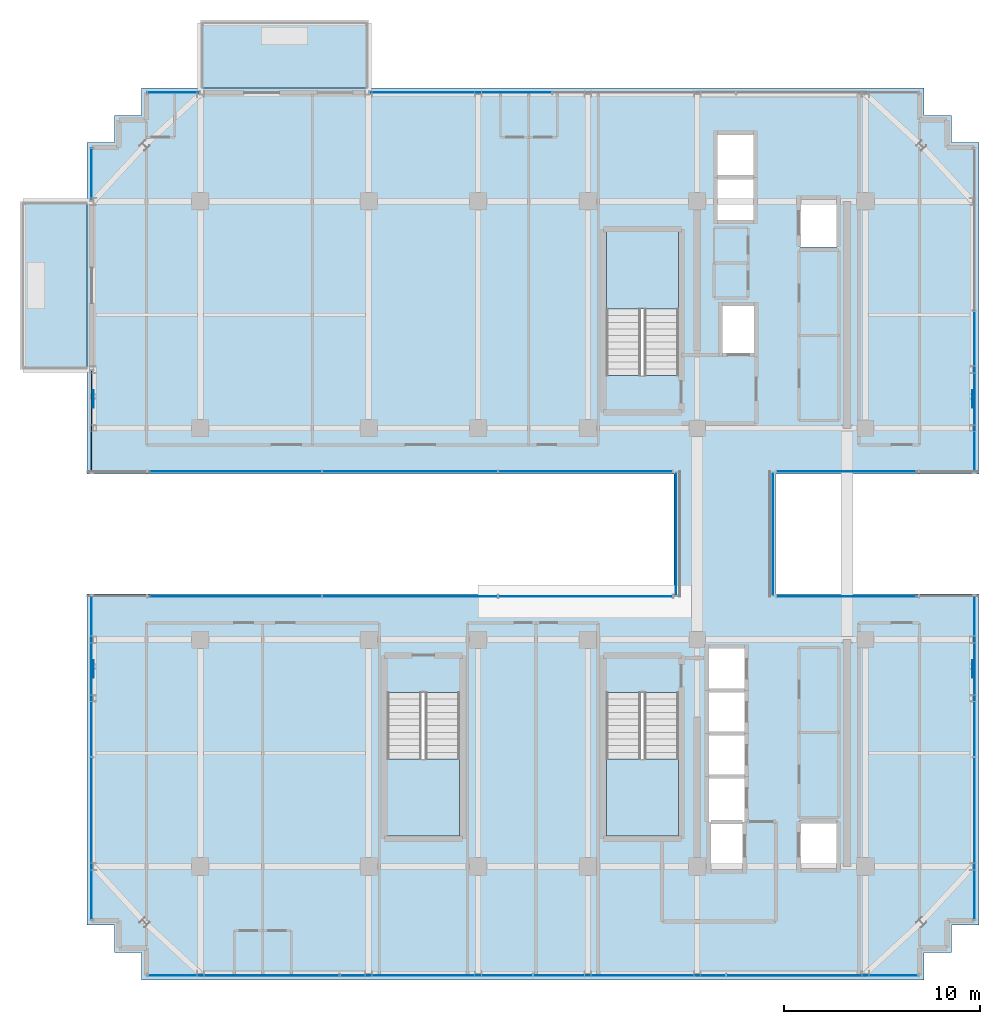
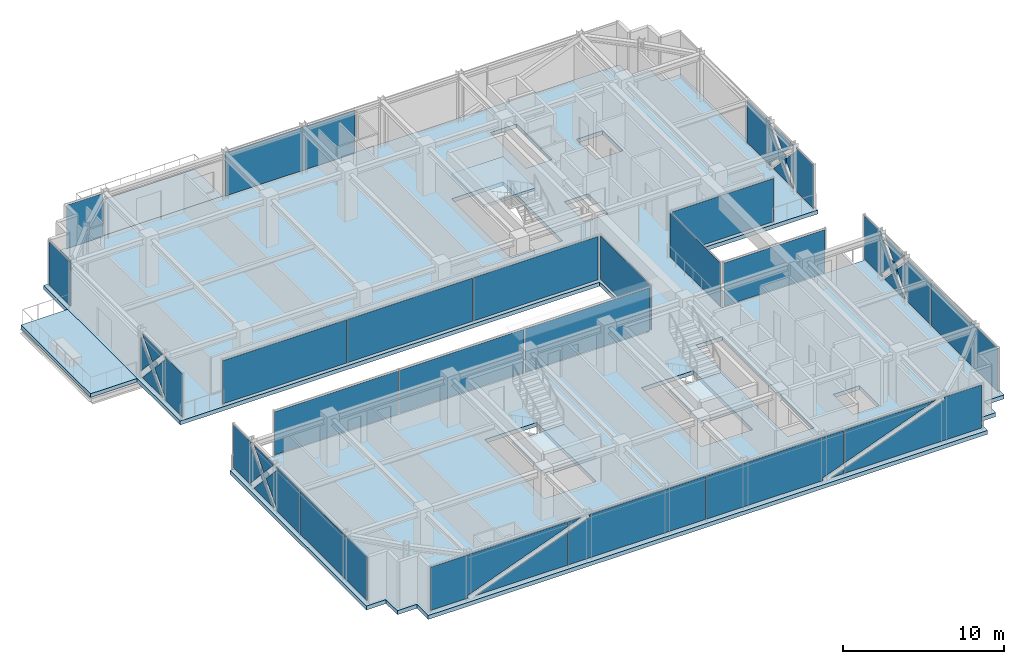
# One storey, part 32 of 40: 27 plates, 6 slabs, 17 elements without a shape of their own.
"""IFC4 building model written with IfcOpenShell, lengths in metres."""

from ifc_helpers import new_model, si_unit, direction, frame, origin, origin_2d, place, context, subcontext, project, spatial, polyline, rectangle, outline, extrude, source, transform, mapped, material, layer, layer_set, type_object, element, aggregate, save


model = new_model("IFC4")

# Units and contexts
model_context = context("Model", 3, precision=1e-05, world=origin(), true_north=direction((0.0, 1.0)))
body_context = subcontext(model_context, "Body", "Model", "MODEL_VIEW")
ifc_project = project(units=[si_unit("LENGTHUNIT", "METRE"), si_unit("AREAUNIT", "SQUARE_METRE"), si_unit("VOLUMEUNIT", "CUBIC_METRE"), si_unit("PLANEANGLEUNIT", "RADIAN"), si_unit("MASSUNIT", "GRAM", prefix="KILO")], contexts=[model_context])

# Site, building, storey
site_placement = place(None, origin())
site = spatial("IfcSite", under=ifc_project, at=site_placement, CompositionType="ELEMENT")
building_placement = place(site_placement, origin())
building = spatial("IfcBuilding", under=site, at=building_placement, Name="Nahalor Promenade Grand Hotel", CompositionType="ELEMENT")
storey_placement = place(building_placement, frame((0.0, 0.0, 288.800048828125)))
storey = spatial("IfcBuildingStorey", under=building, at=storey_placement, Name="L74", CompositionType="ELEMENT", Elevation=288.800048828125)

# Curtain wall, plates
ifc_material_1 = material(Name="Anodised Bronze Aluminium EN AW-6063 T6", Category="aluminium")
curtain_wall_type_1 = type_object("IfcCurtainWallType", Name="CW3 Elliptical-Void Collar Unitised Curtain Wall", PredefinedType="USERDEFINED", material=ifc_material_1)
curtain_wall_1_placement = place(storey_placement, origin())
curtain_wall_1 = element("IfcCurtainWall", 1, at=curtain_wall_1_placement, inside=storey, type_object=curtain_wall_type_1, Name="L74 Curtain Wall CW-L74-S-1", ObjectType="UNITISED_CURTAIN_WALL", PredefinedType="USERDEFINED")
ifc_material_2 = material(Name="Low-E Laminated Solar Glass", Category="glass")
ifc_layer_1 = layer(ifc_material_2, 0.030029296875)
ifc_layer_set_1 = layer_set([ifc_layer_1], Name="Low-E Laminated Solar Glass")
plate_type_1 = type_object("IfcPlateType", Name="CWP3 High-Wind Laminated Bronze IGU 30mm", PredefinedType="CURTAIN_PANEL", material=ifc_layer_set_1)
plate_1_placement = place(storey_placement, frame((-14.802490234375, -22.56005859375, 0.139892578125), z_axis=(0.0, 0.0, 1.0), x_axis=(1.0, 0.0, 0.0)))
plate_1 = element("IfcPlate", 2, at=plate_1_placement, type_object=plate_type_1, Name="CW-L74-S-1 Glazing Panel 0-0", PredefinedType="CURTAIN_PANEL", context=body_context, shape_type="SweptSolid", body=[
    extrude(outline(polyline([(-4.887451171875, 3.27001953125), (-4.887451171875, 0.0), (-2.220458984375, 0.0), (-2.29150390625, 0.188232421875), (4.887451171875, 2.9013671875), (4.887451171875, 3.27001953125), (-4.887451171875, 3.27001953125)])), frame((0.0, 0.01513671875, 0.0), z_axis=(0.0, -1.0, 0.0), x_axis=(1.0, 0.0, 0.0)), (0.0, 0.0, 1.0), 0.030029296875),
    extrude(outline(polyline([(-1.658203125, 0.0), (4.887451171875, 0.0), (4.887451171875, 2.4736328125), (-1.658203125, 0.0)])), frame((0.0, 0.01513671875, 0.0), z_axis=(0.0, -1.0, 0.0), x_axis=(1.0, 0.0, 0.0)), (0.0, 0.0, 1.0), 0.030029296875),
])
plate_2_placement = place(storey_placement, frame((-4.93994140625, -22.56005859375, 0.139892578125), z_axis=(0.0, 0.0, 1.0), x_axis=(1.0, 0.0, 0.0)))
plate_2 = element("IfcPlate", 3, at=plate_2_placement, type_object=plate_type_1, Name="CW-L74-S-1 Glazing Panel 1-0", PredefinedType="CURTAIN_PANEL", context=body_context, shape_type="SweptSolid", body=[
    extrude(outline(polyline([(4.905029296875, 0.0), (4.905029296875, 3.27001953125), (-3.43701171875, 3.27001953125), (-3.365966796875, 3.081787109375), (-4.905029296875, 2.5), (-4.905029296875, 0.0), (4.905029296875, 0.0)])), frame((0.0, 0.01513671875, 0.0), z_axis=(0.0, -1.0, 0.0), x_axis=(1.0, 0.0, 0.0)), (0.0, 0.0, 1.0), 0.030029296875),
    extrude(outline(polyline([(-3.999267578125, 3.27001953125), (-4.905029296875, 3.27001953125), (-4.905029296875, 2.927734375), (-3.999267578125, 3.27001953125)])), frame((0.0, 0.01513671875, 0.0), z_axis=(0.0, -1.0, 0.0), x_axis=(1.0, 0.0, 0.0)), (0.0, 0.0, 1.0), 0.030029296875),
])
plate_3_placement = place(storey_placement, frame((4.93994140625, -22.56005859375, 0.139892578125), z_axis=(0.0, 0.0, 1.0), x_axis=(1.0, 0.0, 0.0)))
plate_3 = element("IfcPlate", 4, at=plate_3_placement, type_object=plate_type_1, Name="CW-L74-S-1 Glazing Panel 2-0", PredefinedType="CURTAIN_PANEL", context=body_context, shape_type="SweptSolid", body=[
    extrude(outline(polyline([(-4.905029296875, 3.27001953125), (-4.905029296875, 0.0), (3.43701171875, 0.0), (3.365966796875, 0.188232421875), (4.905029296875, 0.769775390625), (4.905029296875, 3.27001953125), (-4.905029296875, 3.27001953125)])), frame((0.0, 0.01513671875, 0.0), z_axis=(0.0, -1.0, 0.0), x_axis=(1.0, 0.0, 0.0)), (0.0, 0.0, 1.0), 0.030029296875),
    extrude(outline(polyline([(3.999267578125, 0.0), (4.905029296875, 0.0), (4.905029296875, 0.34228515625), (3.999267578125, 0.0)])), frame((0.0, 0.01513671875, 0.0), z_axis=(0.0, -1.0, 0.0), x_axis=(1.0, 0.0, 0.0)), (0.0, 0.0, 1.0), 0.030029296875),
])
plate_4_placement = place(storey_placement, frame((14.802490234375, -22.56005859375, 0.139892578125), z_axis=(0.0, 0.0, 1.0), x_axis=(1.0, 0.0, 0.0)))
plate_4 = element("IfcPlate", 5, at=plate_4_placement, type_object=plate_type_1, Name="CW-L74-S-1 Glazing Panel 3-0", PredefinedType="CURTAIN_PANEL", context=body_context, shape_type="SweptSolid", body=[
    extrude(outline(polyline([(4.887451171875, 0.0), (4.887451171875, 3.27001953125), (2.220458984375, 3.27001953125), (2.29150390625, 3.081787109375), (-4.887451171875, 0.36865234375), (-4.887451171875, 0.0), (4.887451171875, 0.0)])), frame((0.0, 0.01513671875, 0.0), z_axis=(0.0, -1.0, 0.0), x_axis=(1.0, 0.0, 0.0)), (0.0, 0.0, 1.0), 0.030029296875),
    extrude(outline(polyline([(1.658203125, 3.27001953125), (-4.887451171875, 3.27001953125), (-4.887451171875, 0.79638671875), (1.658203125, 3.27001953125)])), frame((0.0, 0.01513671875, 0.0), z_axis=(0.0, -1.0, 0.0), x_axis=(1.0, 0.0, 0.0)), (0.0, 0.0, 1.0), 0.030029296875),
])
aggregate(curtain_wall_1, [plate_1, plate_2, plate_3, plate_4])

# Curtain wall, plate
curtain_wall_2_placement = place(storey_placement, origin())
curtain_wall_2 = element("IfcCurtainWall", 6, at=curtain_wall_2_placement, inside=storey, type_object=curtain_wall_type_1, Name="L74 Curtain Wall CW-L74-W-1", ObjectType="UNITISED_CURTAIN_WALL", PredefinedType="USERDEFINED")
plate_5_placement = place(storey_placement, frame((-22.56005859375, -7.2607421875, 0.139892578125), z_axis=(0.0, 0.0, 1.0), x_axis=(0.0, 1.0, 0.0)))
plate_5 = element("IfcPlate", 7, at=plate_5_placement, type_object=plate_type_1, Name="CW-L74-W-1 Glazing Panel 1-0", PredefinedType="CURTAIN_PANEL", context=body_context, shape_type="SweptSolid", body=[
    extrude(outline(polyline([(-4.11962890625, 3.27001953125), (-4.11962890625, 0.0), (-1.165283203125, 0.0), (-1.30322265625, 0.127197265625), (0.088623046875, 1.635009765625), (-1.30322265625, 3.142822265625), (-1.165283203125, 3.27001953125), (-4.11962890625, 3.27001953125)])), frame((0.0, 0.01513671875, 0.0), z_axis=(0.0, -1.0, 0.0), x_axis=(1.0, 0.0, 0.0)), (0.0, 0.0, 1.0), 0.030029296875),
    extrude(outline(polyline([(0.36083984375, 1.340087890625), (-0.876220703125, 0.0), (1.597900390625, 0.0), (0.36083984375, 1.340087890625)])), frame((0.0, 0.01513671875, 0.0), z_axis=(0.0, -1.0, 0.0), x_axis=(1.0, 0.0, 0.0)), (0.0, 0.0, 1.0), 0.030029296875),
    extrude(outline(polyline([(0.36083984375, 1.929931640625), (1.597900390625, 3.27001953125), (-0.876220703125, 3.27001953125), (0.36083984375, 1.929931640625)])), frame((0.0, 0.01513671875, 0.0), z_axis=(0.0, -1.0, 0.0), x_axis=(1.0, 0.0, 0.0)), (0.0, 0.0, 1.0), 0.030029296875),
    extrude(outline(polyline([(4.11962890625, 0.0), (4.11962890625, 3.27001953125), (1.88671875, 3.27001953125), (2.024658203125, 3.142822265625), (0.6328125, 1.635009765625), (2.024658203125, 0.127197265625), (1.88671875, 0.0), (4.11962890625, 0.0)])), frame((0.0, 0.01513671875, 0.0), z_axis=(0.0, -1.0, 0.0), x_axis=(1.0, 0.0, 0.0)), (0.0, 0.0, 1.0), 0.030029296875),
])

curtain_wall_3_placement = place(storey_placement, origin())
curtain_wall_3 = element("IfcCurtainWall", 8, at=curtain_wall_3_placement, inside=storey, type_object=curtain_wall_type_1, Name="L74 Curtain Wall CW-L74-W-2", ObjectType="UNITISED_CURTAIN_WALL", PredefinedType="USERDEFINED")
plate_6_placement = place(storey_placement, frame((-22.56005859375, 5.735595703125, 0.139892578125), z_axis=(0.0, 0.0, 1.0), x_axis=(0.0, 1.0, 0.0)))
plate_6 = element("IfcPlate", 9, at=plate_6_placement, type_object=plate_type_1, Name="CW-L74-W-2 Glazing Panel 0-0", PredefinedType="CURTAIN_PANEL", context=body_context, shape_type="SweptSolid", body=[
    extrude(outline(polyline([(-2.594482421875, 3.27001953125), (-2.594482421875, 0.0), (-0.361572265625, 0.0), (-0.49951171875, 0.127197265625), (0.892333984375, 1.635009765625), (-0.49951171875, 3.142822265625), (-0.361572265625, 3.27001953125), (-2.594482421875, 3.27001953125)])), frame((0.0, 0.01513671875, 0.0), z_axis=(0.0, -1.0, 0.0), x_axis=(1.0, 0.0, 0.0)), (0.0, 0.0, 1.0), 0.030029296875),
    extrude(outline(polyline([(1.16455078125, 1.340087890625), (-0.072509765625, 0.0), (2.401611328125, 0.0), (1.16455078125, 1.340087890625)])), frame((0.0, 0.01513671875, 0.0), z_axis=(0.0, -1.0, 0.0), x_axis=(1.0, 0.0, 0.0)), (0.0, 0.0, 1.0), 0.030029296875),
    extrude(outline(polyline([(1.16455078125, 1.929931640625), (2.401611328125, 3.27001953125), (-0.072509765625, 3.27001953125), (1.16455078125, 1.929931640625)])), frame((0.0, 0.01513671875, 0.0), z_axis=(0.0, -1.0, 0.0), x_axis=(1.0, 0.0, 0.0)), (0.0, 0.0, 1.0), 0.030029296875),
    extrude(outline(polyline([(1.436767578125, 1.635009765625), (2.594482421875, 0.380615234375), (2.594482421875, 2.889404296875), (1.436767578125, 1.635009765625)])), frame((0.0, 0.01513671875, 0.0), z_axis=(0.0, -1.0, 0.0), x_axis=(1.0, 0.0, 0.0)), (0.0, 0.0, 1.0), 0.030029296875),
])
aggregate(curtain_wall_3, [plate_6])

curtain_wall_4_placement = place(storey_placement, origin())
curtain_wall_4 = element("IfcCurtainWall", 10, at=curtain_wall_4_placement, inside=storey, type_object=curtain_wall_type_1, Name="L74 Curtain Wall CW-L74-E-1", ObjectType="UNITISED_CURTAIN_WALL", PredefinedType="USERDEFINED")
plate_7_placement = place(storey_placement, frame((22.56005859375, -7.2607421875, 0.139892578125), z_axis=(0.0, 0.0, 1.0), x_axis=(0.0, 1.0, 0.0)))
plate_7 = element("IfcPlate", 11, at=plate_7_placement, type_object=plate_type_1, Name="CW-L74-E-1 Glazing Panel 1-0", PredefinedType="CURTAIN_PANEL", context=body_context, shape_type="SweptSolid", body=[
    extrude(outline(polyline([(-4.11962890625, 3.27001953125), (-4.11962890625, 0.0), (-1.165283203125, 0.0), (-1.30322265625, 0.127197265625), (0.088623046875, 1.635009765625), (-1.30322265625, 3.142822265625), (-1.165283203125, 3.27001953125), (-4.11962890625, 3.27001953125)])), frame((0.0, 0.01513671875, 0.0), z_axis=(0.0, -1.0, 0.0), x_axis=(1.0, 0.0, 0.0)), (0.0, 0.0, 1.0), 0.030029296875),
    extrude(outline(polyline([(0.36083984375, 1.340087890625), (-0.876220703125, 0.0), (1.597900390625, 0.0), (0.36083984375, 1.340087890625)])), frame((0.0, 0.01513671875, 0.0), z_axis=(0.0, -1.0, 0.0), x_axis=(1.0, 0.0, 0.0)), (0.0, 0.0, 1.0), 0.030029296875),
    extrude(outline(polyline([(0.36083984375, 1.929931640625), (1.597900390625, 3.27001953125), (-0.876220703125, 3.27001953125), (0.36083984375, 1.929931640625)])), frame((0.0, 0.01513671875, 0.0), z_axis=(0.0, -1.0, 0.0), x_axis=(1.0, 0.0, 0.0)), (0.0, 0.0, 1.0), 0.030029296875),
    extrude(outline(polyline([(4.11962890625, 0.0), (4.11962890625, 3.27001953125), (1.88671875, 3.27001953125), (2.024658203125, 3.142822265625), (0.6328125, 1.635009765625), (2.024658203125, 0.127197265625), (1.88671875, 0.0), (4.11962890625, 0.0)])), frame((0.0, 0.01513671875, 0.0), z_axis=(0.0, -1.0, 0.0), x_axis=(1.0, 0.0, 0.0)), (0.0, 0.0, 1.0), 0.030029296875),
])

curtain_wall_5_placement = place(storey_placement, origin())
curtain_wall_5 = element("IfcCurtainWall", 12, at=curtain_wall_5_placement, inside=storey, type_object=curtain_wall_type_1, Name="L74 Curtain Wall CW-L74-E-2", ObjectType="UNITISED_CURTAIN_WALL", PredefinedType="USERDEFINED")
plate_8_placement = place(storey_placement, frame((22.56005859375, 7.2607421875, 0.139892578125), z_axis=(0.0, 0.0, 1.0), x_axis=(0.0, 1.0, 0.0)))
plate_8 = element("IfcPlate", 13, at=plate_8_placement, type_object=plate_type_1, Name="CW-L74-E-2 Glazing Panel 0-0", PredefinedType="CURTAIN_PANEL", context=body_context, shape_type="SweptSolid", body=[
    extrude(outline(polyline([(-4.11962890625, 3.27001953125), (-4.11962890625, 0.0), (-1.88671875, 0.0), (-2.024658203125, 0.127197265625), (-0.6328125, 1.635009765625), (-2.024658203125, 3.142822265625), (-1.88671875, 3.27001953125), (-4.11962890625, 3.27001953125)])), frame((0.0, 0.01513671875, 0.0), z_axis=(0.0, -1.0, 0.0), x_axis=(1.0, 0.0, 0.0)), (0.0, 0.0, 1.0), 0.030029296875),
    extrude(outline(polyline([(-0.36083984375, 1.340087890625), (-1.597900390625, 0.0), (0.876220703125, 0.0), (-0.36083984375, 1.340087890625)])), frame((0.0, 0.01513671875, 0.0), z_axis=(0.0, -1.0, 0.0), x_axis=(1.0, 0.0, 0.0)), (0.0, 0.0, 1.0), 0.030029296875),
    extrude(outline(polyline([(-0.36083984375, 1.929931640625), (0.876220703125, 3.27001953125), (-1.597900390625, 3.27001953125), (-0.36083984375, 1.929931640625)])), frame((0.0, 0.01513671875, 0.0), z_axis=(0.0, -1.0, 0.0), x_axis=(1.0, 0.0, 0.0)), (0.0, 0.0, 1.0), 0.030029296875),
    extrude(outline(polyline([(4.11962890625, 0.0), (4.11962890625, 3.27001953125), (1.165283203125, 3.27001953125), (1.30322265625, 3.142822265625), (-0.088623046875, 1.635009765625), (1.30322265625, 0.127197265625), (1.165283203125, 0.0), (4.11962890625, 0.0)])), frame((0.0, 0.01513671875, 0.0), z_axis=(0.0, -1.0, 0.0), x_axis=(1.0, 0.0, 0.0)), (0.0, 0.0, 1.0), 0.030029296875),
])
aggregate(curtain_wall_5, [plate_8])

# Stair, slab
ifc_material_3 = material(Name="Concrete B-50 (C40/50)", Category="concrete")
stair_type_1 = type_object("IfcStairType", Name="Stair-ST1", PredefinedType="HALF_TURN_STAIR", material=ifc_material_3)
stair_1_placement = place(storey_placement, origin())
stair_1 = element("IfcStair", 14, at=stair_1_placement, inside=storey, type_object=stair_type_1, Name="L74 ST1", PredefinedType="HALF_TURN_STAIR")
ifc_layer_2 = layer(ifc_material_3, 0.199951171875)
ifc_layer_set_2 = layer_set([ifc_layer_2], Name="Concrete B-50 (C40/50)")
slab_type_1 = type_object("IfcSlabType", Name="Landing-ST1", PredefinedType="LANDING", material=ifc_layer_set_2)
slab_1_placement = place(storey_placement, frame((0.0, 0.0, 1.724853515625)))
slab_1 = element("IfcSlab", 15, at=slab_1_placement, type_object=slab_type_1, Name="ST1 landing 1", PredefinedType="LANDING", context=body_context, shape_type="SweptSolid", body=[
    extrude(outline(polyline([(7.449951171875, 11.5), (7.449951171875, 15.449951171875), (3.75, 15.449951171875), (3.75, 11.5), (7.449951171875, 11.5)])), origin(), (0.0, 0.0, 1.0), 0.2001953125),
])
aggregate(stair_1, [slab_1])

stair_type_2 = type_object("IfcStairType", Name="Stair-ST2", PredefinedType="HALF_TURN_STAIR", material=ifc_material_3)
stair_2_placement = place(storey_placement, origin())
stair_2 = element("IfcStair", 16, at=stair_2_placement, inside=storey, type_object=stair_type_2, Name="L74 ST2", PredefinedType="HALF_TURN_STAIR")
ifc_layer_3 = layer(ifc_material_3, 0.2099609375)
ifc_layer_set_3 = layer_set([ifc_layer_3], Name="Concrete B-50 (C40/50)")
slab_type_2 = type_object("IfcSlabType", Name="Landing-ST2", PredefinedType="LANDING", material=ifc_layer_set_3)
slab_2_placement = place(storey_placement, frame((0.0, 0.0, 1.71484375)))
slab_2 = element("IfcSlab", 17, at=slab_2_placement, type_object=slab_type_2, Name="ST2 landing 1", PredefinedType="LANDING", context=body_context, shape_type="SweptSolid", body=[
    extrude(outline(polyline([(3.75, -11.5), (3.75, -15.449951171875), (7.449951171875, -15.449951171875), (7.449951171875, -11.5), (3.75, -11.5)])), origin(), (0.0, 0.0, 1.0), 0.210205078125),
])
aggregate(stair_2, [slab_2])

stair_type_3 = type_object("IfcStairType", Name="Stair-ST3", PredefinedType="HALF_TURN_STAIR", material=ifc_material_3)
stair_3_placement = place(storey_placement, origin())
stair_3 = element("IfcStair", 18, at=stair_3_placement, inside=storey, type_object=stair_type_3, Name="L74 ST3", PredefinedType="HALF_TURN_STAIR")
ifc_layer_4 = layer(ifc_material_3, 0.219970703125)
ifc_layer_set_4 = layer_set([ifc_layer_4], Name="Concrete B-50 (C40/50)")
slab_type_3 = type_object("IfcSlabType", Name="Landing-ST3", PredefinedType="LANDING", material=ifc_layer_set_4)
slab_3_placement = place(storey_placement, frame((0.0, 0.0, 1.704833984375)))
slab_3 = element("IfcSlab", 19, at=slab_3_placement, type_object=slab_type_3, Name="ST3 landing 1", PredefinedType="LANDING", context=body_context, shape_type="SweptSolid", body=[
    extrude(outline(polyline([(-7.449951171875, -11.5), (-7.449951171875, -15.449951171875), (-3.75, -15.449951171875), (-3.75, -11.5), (-7.449951171875, -11.5)])), origin(), (0.0, 0.0, 1.0), 0.22021484375),
])
aggregate(stair_3, [slab_3])

# Slabs
ifc_layer_5 = layer(ifc_material_3, 0.280029296875)
ifc_layer_set_5 = layer_set([ifc_layer_5], Name="Concrete B-50 (C40/50)")
slab_type_4 = type_object("IfcSlabType", Name="Slab-Balcony-280", PredefinedType="FLOOR", material=ifc_layer_set_5)
slab_4_placement = place(storey_placement, frame((0.0, 0.0, -0.280029296875)))
element("IfcSlab", 20, at=slab_4_placement, inside=storey, type_object=slab_type_4, Name="L74 Cantilevered Planted Balcony 1", PredefinedType="FLOOR", context=body_context, shape_type="SweptSolid", body=[
    extrude(outline(polyline([(-17.0, 22.800048828125), (-8.39990234375, 22.800048828125), (-8.39990234375, 26.199951171875), (-17.0, 26.199951171875), (-17.0, 22.800048828125)])), origin(), (0.0, 0.0, 1.0), 0.280029296875),
])
slab_5_placement = place(storey_placement, frame((0.0, 0.0, -0.280029296875)))
element("IfcSlab", 21, at=slab_5_placement, inside=storey, type_object=slab_type_4, Name="L74 Cantilevered Planted Balcony 2", PredefinedType="FLOOR", context=body_context, shape_type="SweptSolid", body=[
    extrude(outline(polyline([(-26.14990234375, 8.39990234375), (-22.800048828125, 8.39990234375), (-22.800048828125, 17.0), (-26.14990234375, 17.0), (-26.14990234375, 8.39990234375)])), origin(), (0.0, 0.0, 1.0), 0.280029296875),
])
ifc_layer_6 = layer(ifc_material_3, 0.300048828125)
ifc_layer_set_6 = layer_set([ifc_layer_6], Name="Concrete B-50 (C40/50)")
slab_type_5 = type_object("IfcSlabType", Name="Slab-TowerZ5-300", PredefinedType="FLOOR", material=ifc_layer_set_6)
slab_6_placement = place(storey_placement, frame((0.0, 0.0, -0.300048828125)))
element("IfcSlab", 22, at=slab_6_placement, inside=storey, type_object=slab_type_5, Name="L74 Suspended Structural Floor Slab", PredefinedType="FLOOR", context=body_context, shape_type="SweptSolid", body=[
    extrude(outline(polyline([(-20.0, -22.800048828125), (20.0, -22.800048828125), (20.0, -21.39990234375), (21.39990234375, -21.39990234375), (21.39990234375, -20.0), (22.800048828125, -20.0), (22.800048828125, -3.071044921875), (12.39990234375, -3.071044921875), (12.39990234375, 3.071044921875), (22.800048828125, 3.071044921875), (22.800048828125, 20.0), (21.39990234375, 20.0), (21.39990234375, 21.39990234375), (20.0, 21.39990234375), (20.0, 22.800048828125), (-20.0, 22.800048828125), (-20.0, 21.39990234375), (-21.39990234375, 21.39990234375), (-21.39990234375, 20.0), (-22.800048828125, 20.0), (-22.800048828125, 3.071044921875), (7.199951171875, 3.071044921875), (7.199951171875, -3.071044921875), (-22.800048828125, -3.071044921875), (-22.800048828125, -20.0), (-21.39990234375, -20.0), (-21.39990234375, -21.39990234375), (-20.0, -21.39990234375), (-20.0, -22.800048828125)]), holes=[polyline([(3.75, 8.10009765625), (7.449951171875, 8.10009765625), (7.449951171875, 15.449951171875), (3.75, 15.449951171875), (3.75, 8.10009765625)]), polyline([(3.75, -15.449951171875), (7.449951171875, -15.449951171875), (7.449951171875, -8.10009765625), (3.75, -8.10009765625), (3.75, -15.449951171875)]), polyline([(-7.449951171875, -15.449951171875), (-3.75, -15.449951171875), (-3.75, -8.10009765625), (-7.449951171875, -8.10009765625), (-7.449951171875, -15.449951171875)]), polyline([(8.9599609375, -17.18994140625), (10.840087890625, -17.18994140625), (10.840087890625, -5.81005859375), (8.9599609375, -5.81005859375), (8.9599609375, -17.18994140625)]), polyline([(9.409912109375, 16.010009765625), (11.2900390625, 16.010009765625), (11.2900390625, 20.43994140625), (9.409912109375, 20.43994140625), (9.409912109375, 16.010009765625)]), polyline([(9.659912109375, 9.2099609375), (11.340087890625, 9.2099609375), (11.340087890625, 11.68994140625), (9.659912109375, 11.68994140625), (9.659912109375, 9.2099609375)]), polyline([(13.659912109375, 14.659912109375), (15.5400390625, 14.659912109375), (15.5400390625, 17.139892578125), (13.659912109375, 17.139892578125), (13.659912109375, 14.659912109375)]), polyline([(13.659912109375, -17.139892578125), (15.5400390625, -17.139892578125), (15.5400390625, -14.659912109375), (13.659912109375, -14.659912109375), (13.659912109375, -17.139892578125)])]), origin(), (0.0, 0.0, 1.0), 0.300048828125),
])

# Plates
ifc_material_4 = material(Name="Steel S355J2", Category="steel")
ifc_layer_7 = layer(ifc_material_4, 0.035888671875)
ifc_layer_set_7 = layer_set([ifc_layer_7], Name="Steel S355J2")
plate_type_2 = type_object("IfcPlateType", Name="Plate-CrossGusset-36", PredefinedType="USERDEFINED", material=ifc_layer_set_7)
shared_shape_1 = source(origin(), body_context, "Body", "SweptSolid", [
    extrude(rectangle(XDim=0.89990234375, YDim=0.035888671875, at=origin_2d()), origin(), (0.0, 0.0, 1.0), 0.89990234375),
])
for number, where, z_axis, x_axis, name in (
    (23, (-22.47998046875, -6.89990234375, 1.324951171875), (0.0, 0.0, 1.0), (0.0, 1.0, 0.0), "PL-L74-VXX-W0"),
    (24, (-22.47998046875, 6.89990234375, 1.324951171875), (0.0, 0.0, 1.0), (0.0, 1.0, 0.0), "PL-L74-VXX-W1"),
    (25, (22.47998046875, -6.89990234375, 1.324951171875), (0.0, 0.0, 1.0), (0.0, 1.0, 0.0), "PL-L74-VXX-E0"),
    (26, (22.47998046875, 6.89990234375, 1.324951171875), (0.0, 0.0, 1.0), (0.0, 1.0, 0.0), "PL-L74-VXX-E1"),
):
    element("IfcPlate", number, at=place(storey_placement, frame(where, z_axis=z_axis, x_axis=x_axis)), inside=storey, type_object=plate_type_2, Name=name, ObjectType="GUSSET_PLATE", PredefinedType="USERDEFINED", context=body_context, shape_type="MappedRepresentation", body=[
        mapped(shared_shape_1, transform((0.0, 0.0, 0.0), scale=1.0)),
    ])

# Curtain wall, plate
curtain_wall_6_placement = place(storey_placement, origin())
curtain_wall_6 = element("IfcCurtainWall", 27, at=curtain_wall_6_placement, inside=storey, type_object=curtain_wall_type_1, Name="L74 Curtain Wall CW-L74-N-1", ObjectType="UNITISED_CURTAIN_WALL", PredefinedType="USERDEFINED")
shared_shape_2 = source(origin(), body_context, "Body", "SweptSolid", [
    extrude(rectangle(XDim=2.6201171875, YDim=0.030029296875, at=origin_2d()), origin(), (0.0, 0.0, 1.0), 3.27001953125),
])
plate_9_placement = place(storey_placement, frame((-18.3798828125, 22.56005859375, 0.139892578125), z_axis=(0.0, 0.0, 1.0), x_axis=(1.0, 0.0, 0.0)))
plate_9 = element("IfcPlate", 28, at=plate_9_placement, type_object=plate_type_1, Name="CW-L74-N-1 Glazing Panel 0-0", PredefinedType="CURTAIN_PANEL", context=body_context, shape_type="MappedRepresentation", body=[
    mapped(shared_shape_2, transform((0.0, 0.0, 0.0), scale=1.0)),
])
aggregate(curtain_wall_6, [plate_9])

curtain_wall_7_placement = place(storey_placement, origin())
curtain_wall_7 = element("IfcCurtainWall", 29, at=curtain_wall_7_placement, inside=storey, type_object=curtain_wall_type_1, Name="L74 Curtain Wall CW-L74-W-4", ObjectType="UNITISED_CURTAIN_WALL", PredefinedType="USERDEFINED")
plate_10_placement = place(storey_placement, frame((-22.56005859375, 18.3798828125, 0.139892578125), z_axis=(0.0, 0.0, 1.0), x_axis=(0.0, 1.0, 0.0)))
plate_10 = element("IfcPlate", 30, at=plate_10_placement, type_object=plate_type_1, Name="CW-L74-W-4 Glazing Panel 0-0", PredefinedType="CURTAIN_PANEL", context=body_context, shape_type="MappedRepresentation", body=[
    mapped(shared_shape_2, transform((0.0, 0.0, 0.0), scale=1.0)),
])
aggregate(curtain_wall_7, [plate_10])

curtain_wall_8_placement = place(storey_placement, origin())
curtain_wall_8 = element("IfcCurtainWall", 31, at=curtain_wall_8_placement, inside=storey, type_object=curtain_wall_type_1, Name="L74 Curtain Wall CW-L74-N-3", ObjectType="UNITISED_CURTAIN_WALL", PredefinedType="USERDEFINED")
shared_shape_3 = source(origin(), body_context, "Body", "SweptSolid", [
    extrude(rectangle(XDim=9.28173828125, YDim=0.030029296875, at=origin_2d()), origin(), (0.0, 0.0, 1.0), 3.27001953125),
])
plate_11_placement = place(storey_placement, frame((-3.689208984375, 22.56005859375, 0.139892578125), z_axis=(0.0, 0.0, 1.0), x_axis=(1.0, 0.0, 0.0)))
plate_11 = element("IfcPlate", 32, at=plate_11_placement, type_object=plate_type_1, Name="CW-L74-N-3 Glazing Panel 0-0", PredefinedType="CURTAIN_PANEL", context=body_context, shape_type="MappedRepresentation", body=[
    mapped(shared_shape_3, transform((0.0, 0.0, 0.0), scale=1.0)),
])
aggregate(curtain_wall_8, [plate_11])

# Plate
shared_shape_4 = source(origin(), body_context, "Body", "SweptSolid", [
    extrude(rectangle(XDim=8.239501953125, YDim=0.030029296875, at=origin_2d()), origin(), (0.0, 0.0, 1.0), 3.27001953125),
])
plate_12_placement = place(storey_placement, frame((-22.56005859375, -15.5703125, 0.139892578125), z_axis=(0.0, 0.0, 1.0), x_axis=(0.0, 1.0, 0.0)))
plate_12 = element("IfcPlate", 33, at=plate_12_placement, type_object=plate_type_1, Name="CW-L74-W-1 Glazing Panel 0-0", PredefinedType="CURTAIN_PANEL", context=body_context, shape_type="MappedRepresentation", body=[
    mapped(shared_shape_4, transform((0.0, 0.0, 0.0), scale=1.0)),
])

aggregate(curtain_wall_2, [plate_12, plate_5])

plate_13_placement = place(storey_placement, frame((22.56005859375, -15.5703125, 0.139892578125), z_axis=(0.0, 0.0, 1.0), x_axis=(0.0, 1.0, 0.0)))
plate_13 = element("IfcPlate", 34, at=plate_13_placement, type_object=plate_type_1, Name="CW-L74-E-1 Glazing Panel 0-0", PredefinedType="CURTAIN_PANEL", context=body_context, shape_type="MappedRepresentation", body=[
    mapped(shared_shape_4, transform((0.0, 0.0, 0.0), scale=1.0)),
])

aggregate(curtain_wall_4, [plate_13, plate_7])

# Curtain wall, plates
curtain_wall_9_placement = place(storey_placement, origin())
curtain_wall_9 = element("IfcCurtainWall", 35, at=curtain_wall_9_placement, inside=storey, type_object=curtain_wall_type_1, Name="L74 Curtain Wall CW-L74-VOID-WS1", ObjectType="UNITISED_CURTAIN_WALL", PredefinedType="USERDEFINED")
shared_shape_5 = source(origin(), body_context, "Body", "SweptSolid", [
    extrude(rectangle(XDim=8.881591796875, YDim=0.030029296875, at=origin_2d()), origin(), (0.0, 0.0, 1.0), 3.27001953125),
])
plate_14_placement = place(storey_placement, frame((-15.249267578125, -3.19091796875, 0.139892578125), z_axis=(0.0, 0.0, 1.0), x_axis=(1.0, 0.0, 0.0)))
plate_14 = element("IfcPlate", 36, at=plate_14_placement, type_object=plate_type_1, Name="CW-L74-VOID-WS1 Glazing Panel 0-0", PredefinedType="CURTAIN_PANEL", context=body_context, shape_type="MappedRepresentation", body=[
    mapped(shared_shape_5, transform((0.0, 0.0, 0.0), scale=1.0)),
])
plate_15_placement = place(storey_placement, frame((2.689208984375, -3.19091796875, 0.139892578125), z_axis=(0.0, 0.0, 1.0), x_axis=(1.0, 0.0, 0.0)))
plate_15 = element("IfcPlate", 37, at=plate_15_placement, type_object=plate_type_1, Name="CW-L74-VOID-WS1 Glazing Panel 2-0", PredefinedType="CURTAIN_PANEL", context=body_context, shape_type="MappedRepresentation", body=[
    mapped(shared_shape_5, transform((0.0, 0.0, 0.0), scale=1.0)),
])

curtain_wall_10_placement = place(storey_placement, origin())
curtain_wall_10 = element("IfcCurtainWall", 38, at=curtain_wall_10_placement, inside=storey, type_object=curtain_wall_type_1, Name="L74 Curtain Wall CW-L74-VOID-WN1", ObjectType="UNITISED_CURTAIN_WALL", PredefinedType="USERDEFINED")
plate_16_placement = place(storey_placement, frame((-15.249267578125, 3.19091796875, 0.139892578125), z_axis=(0.0, 0.0, 1.0), x_axis=(1.0, 0.0, 0.0)))
plate_16 = element("IfcPlate", 39, at=plate_16_placement, type_object=plate_type_1, Name="CW-L74-VOID-WN1 Glazing Panel 0-0", PredefinedType="CURTAIN_PANEL", context=body_context, shape_type="MappedRepresentation", body=[
    mapped(shared_shape_5, transform((0.0, 0.0, 0.0), scale=1.0)),
])
plate_17_placement = place(storey_placement, frame((2.689208984375, 3.19091796875, 0.139892578125), z_axis=(0.0, 0.0, 1.0), x_axis=(1.0, 0.0, 0.0)))
plate_17 = element("IfcPlate", 40, at=plate_17_placement, type_object=plate_type_1, Name="CW-L74-VOID-WN1 Glazing Panel 2-0", PredefinedType="CURTAIN_PANEL", context=body_context, shape_type="MappedRepresentation", body=[
    mapped(shared_shape_5, transform((0.0, 0.0, 0.0), scale=1.0)),
])

# Plate
shared_shape_6 = source(origin(), body_context, "Body", "SweptSolid", [
    extrude(rectangle(XDim=8.916748046875, YDim=0.030029296875, at=origin_2d()), origin(), (0.0, 0.0, 1.0), 3.27001953125),
])
plate_18_placement = place(storey_placement, frame((-6.280029296875, -3.19091796875, 0.139892578125), z_axis=(0.0, 0.0, 1.0), x_axis=(1.0, 0.0, 0.0)))
plate_18 = element("IfcPlate", 41, at=plate_18_placement, type_object=plate_type_1, Name="CW-L74-VOID-WS1 Glazing Panel 1-0", PredefinedType="CURTAIN_PANEL", context=body_context, shape_type="MappedRepresentation", body=[
    mapped(shared_shape_6, transform((0.0, 0.0, 0.0), scale=1.0)),
])

aggregate(curtain_wall_9, [plate_14, plate_18, plate_15])

plate_19_placement = place(storey_placement, frame((-6.280029296875, 3.19091796875, 0.139892578125), z_axis=(0.0, 0.0, 1.0), x_axis=(1.0, 0.0, 0.0)))
plate_19 = element("IfcPlate", 42, at=plate_19_placement, type_object=plate_type_1, Name="CW-L74-VOID-WN1 Glazing Panel 1-0", PredefinedType="CURTAIN_PANEL", context=body_context, shape_type="MappedRepresentation", body=[
    mapped(shared_shape_6, transform((0.0, 0.0, 0.0), scale=1.0)),
])

aggregate(curtain_wall_10, [plate_16, plate_19, plate_17])

# Curtain wall, plate
curtain_wall_11_placement = place(storey_placement, origin())
curtain_wall_11 = element("IfcCurtainWall", 43, at=curtain_wall_11_placement, inside=storey, type_object=curtain_wall_type_1, Name="L74 Curtain Wall CW-L74-VOID-ES1", ObjectType="UNITISED_CURTAIN_WALL", PredefinedType="USERDEFINED")
shared_shape_7 = source(origin(), body_context, "Body", "SweptSolid", [
    extrude(rectangle(XDim=7.219970703125, YDim=0.030029296875, at=origin_2d()), origin(), (0.0, 0.0, 1.0), 3.27001953125),
])
plate_20_placement = place(storey_placement, frame((16.080078125, -3.19091796875, 0.139892578125), z_axis=(0.0, 0.0, 1.0), x_axis=(1.0, 0.0, 0.0)))
plate_20 = element("IfcPlate", 44, at=plate_20_placement, type_object=plate_type_1, Name="CW-L74-VOID-ES1 Glazing Panel 0-0", PredefinedType="CURTAIN_PANEL", context=body_context, shape_type="MappedRepresentation", body=[
    mapped(shared_shape_7, transform((0.0, 0.0, 0.0), scale=1.0)),
])
aggregate(curtain_wall_11, [plate_20])

curtain_wall_12_placement = place(storey_placement, origin())
curtain_wall_12 = element("IfcCurtainWall", 45, at=curtain_wall_12_placement, inside=storey, type_object=curtain_wall_type_1, Name="L74 Curtain Wall CW-L74-VOID-EN1", ObjectType="UNITISED_CURTAIN_WALL", PredefinedType="USERDEFINED")
plate_21_placement = place(storey_placement, frame((16.080078125, 3.19091796875, 0.139892578125), z_axis=(0.0, 0.0, 1.0), x_axis=(1.0, 0.0, 0.0)))
plate_21 = element("IfcPlate", 46, at=plate_21_placement, type_object=plate_type_1, Name="CW-L74-VOID-EN1 Glazing Panel 0-0", PredefinedType="CURTAIN_PANEL", context=body_context, shape_type="MappedRepresentation", body=[
    mapped(shared_shape_7, transform((0.0, 0.0, 0.0), scale=1.0)),
])
aggregate(curtain_wall_12, [plate_21])

curtain_wall_type_2 = type_object("IfcCurtainWallType", Name="CW4 Low-Iron Sky-Gallery Bridge Curtain Wall", PredefinedType="USERDEFINED", material=ifc_material_1)
curtain_wall_13_placement = place(storey_placement, origin())
curtain_wall_13 = element("IfcCurtainWall", 47, at=curtain_wall_13_placement, inside=storey, type_object=curtain_wall_type_2, Name="L74 Curtain Wall CW-L74-BRG-W", ObjectType="UNITISED_CURTAIN_WALL", PredefinedType="USERDEFINED")
ifc_layer_8 = layer(ifc_material_2, 0.02587890625)
ifc_layer_set_8 = layer_set([ifc_layer_8], Name="Low-E Laminated Solar Glass")
plate_type_3 = type_object("IfcPlateType", Name="CWP4 Ultra-Clear Low-Iron Bridge IGU 26mm", PredefinedType="CURTAIN_PANEL", material=ifc_layer_set_8)
shared_shape_8 = source(origin(), body_context, "Body", "SweptSolid", [
    extrude(rectangle(XDim=6.261962890625, YDim=0.02587890625, at=origin_2d()), origin(), (0.0, 0.0, 1.0), 3.31005859375),
])
plate_22_placement = place(storey_placement, frame((7.320068359375, 0.0, 0.119873046875), z_axis=(0.0, 0.0, 1.0), x_axis=(0.0, 1.0, 0.0)))
plate_22 = element("IfcPlate", 48, at=plate_22_placement, type_object=plate_type_3, Name="CW-L74-BRG-W Glazing Panel 0-0", PredefinedType="CURTAIN_PANEL", context=body_context, shape_type="MappedRepresentation", body=[
    mapped(shared_shape_8, transform((0.0, 0.0, 0.0), scale=1.0)),
])
aggregate(curtain_wall_13, [plate_22])

curtain_wall_14_placement = place(storey_placement, origin())
curtain_wall_14 = element("IfcCurtainWall", 49, at=curtain_wall_14_placement, inside=storey, type_object=curtain_wall_type_2, Name="L74 Curtain Wall CW-L74-BRG-E", ObjectType="UNITISED_CURTAIN_WALL", PredefinedType="USERDEFINED")
plate_23_placement = place(storey_placement, frame((12.280029296875, 0.0, 0.119873046875), z_axis=(0.0, 0.0, 1.0), x_axis=(0.0, 1.0, 0.0)))
plate_23 = element("IfcPlate", 50, at=plate_23_placement, type_object=plate_type_3, Name="CW-L74-BRG-E Glazing Panel 0-0", PredefinedType="CURTAIN_PANEL", context=body_context, shape_type="MappedRepresentation", body=[
    mapped(shared_shape_8, transform((0.0, 0.0, 0.0), scale=1.0)),
])
aggregate(curtain_wall_14, [plate_23])

save(model, "model.ifc")
